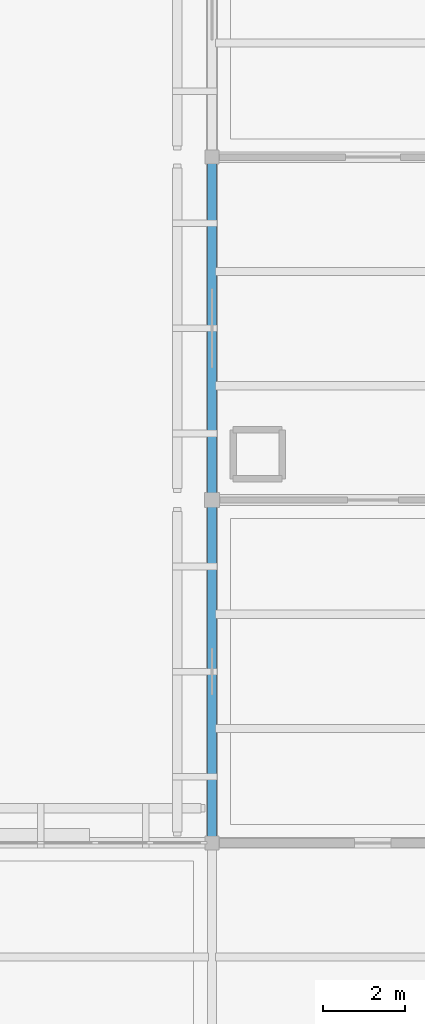
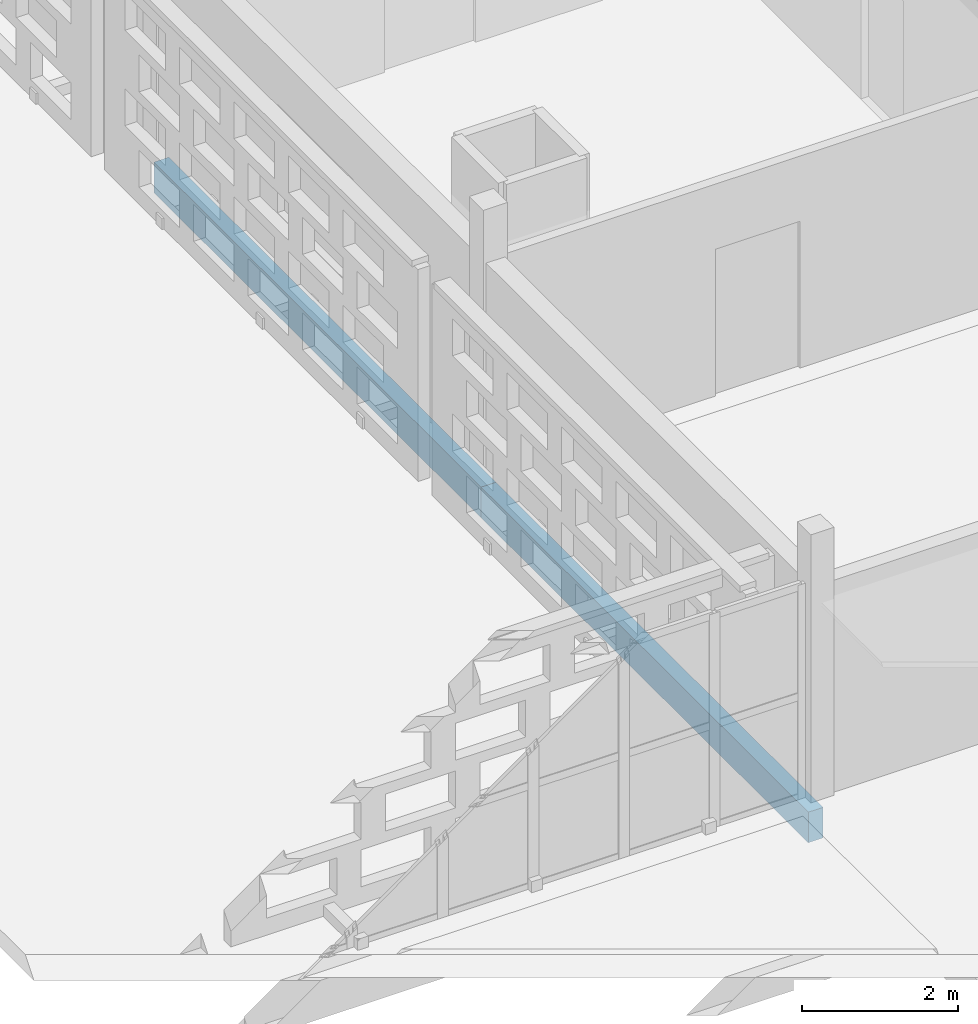
# One storey, part 61 of 140: 2 beams.
"""IFC4 building model written with IfcOpenShell, lengths in metres."""

from ifc_helpers import new_model, si_unit, direction, frame, origin, origin_2d, place, context, subcontext, project, spatial, rectangle, extrude, material, material_profile, profile_set, type_object, element, save


model = new_model("IFC4")

# Units and contexts
model_context = context("Model", 3, precision=1e-05, world=origin(), true_north=direction((0.0, 1.0)))
body_context = subcontext(model_context, "Body", "Model", "MODEL_VIEW")
ifc_project = project(units=[si_unit("LENGTHUNIT", "METRE"), si_unit("AREAUNIT", "SQUARE_METRE"), si_unit("VOLUMEUNIT", "CUBIC_METRE"), si_unit("PLANEANGLEUNIT", "RADIAN"), si_unit("MASSUNIT", "GRAM", prefix="KILO")], contexts=[model_context])

# Site, building, storey
site_placement = place(None, origin())
site = spatial("IfcSite", under=ifc_project, at=site_placement, CompositionType="ELEMENT")
building_placement = place(site_placement, origin())
building = spatial("IfcBuilding", under=site, at=building_placement, Name="Varnapada Polytechnic", CompositionType="ELEMENT")
storey_placement = place(building_placement, frame((0.0, 0.0, 13.800048828125)))
storey = spatial("IfcBuildingStorey", under=building, at=storey_placement, Name="L03", CompositionType="ELEMENT", Elevation=13.800048828125)

# Beams
ifc_material = material(Name="Glulam GL32h", Category="wood")
ifc_material_profile = material_profile(ifc_material, rectangle(XDim=0.219970703125, YDim=0.47998046875, at=origin_2d()), Name="GL 220x480")
ifc_profile_set = profile_set([ifc_material_profile], Name="Glulam GL32h")
beam_type = type_object("IfcBeamType", Name="Upper floor glulam tie beam GB-11 (GL 220x480)", PredefinedType="BEAM", material=ifc_profile_set)
beam_1_placement = place(storey_placement, frame((126.0, 92.39990234375, -0.510009765625), z_axis=(0.0, 1.0, 0.0), x_axis=(-1.0, 0.0, 0.0)))
element("IfcBeam", 1, at=beam_1_placement, inside=storey, type_object=beam_type, Name="L03 beam Y 12-13 at X16", PredefinedType="BEAM", context=body_context, shape_type="SweptSolid", body=[
    extrude(rectangle(XDim=0.219970703125, YDim=0.47998046875, at=origin_2d()), origin(), (0.0, 0.0, 1.0), 8.400146484375),
])
beam_2_placement = place(storey_placement, frame((126.0, 100.800048828125, -0.510009765625), z_axis=(0.0, 1.0, 0.0), x_axis=(-1.0, 0.0, 0.0)))
element("IfcBeam", 2, at=beam_2_placement, inside=storey, type_object=beam_type, Name="L03 beam Y 13-14 at X16", PredefinedType="BEAM", context=body_context, shape_type="SweptSolid", body=[
    extrude(rectangle(XDim=0.219970703125, YDim=0.47998046875, at=origin_2d()), origin(), (0.0, 0.0, 1.0), 8.39990234375),
])

save(model, "model.ifc")
